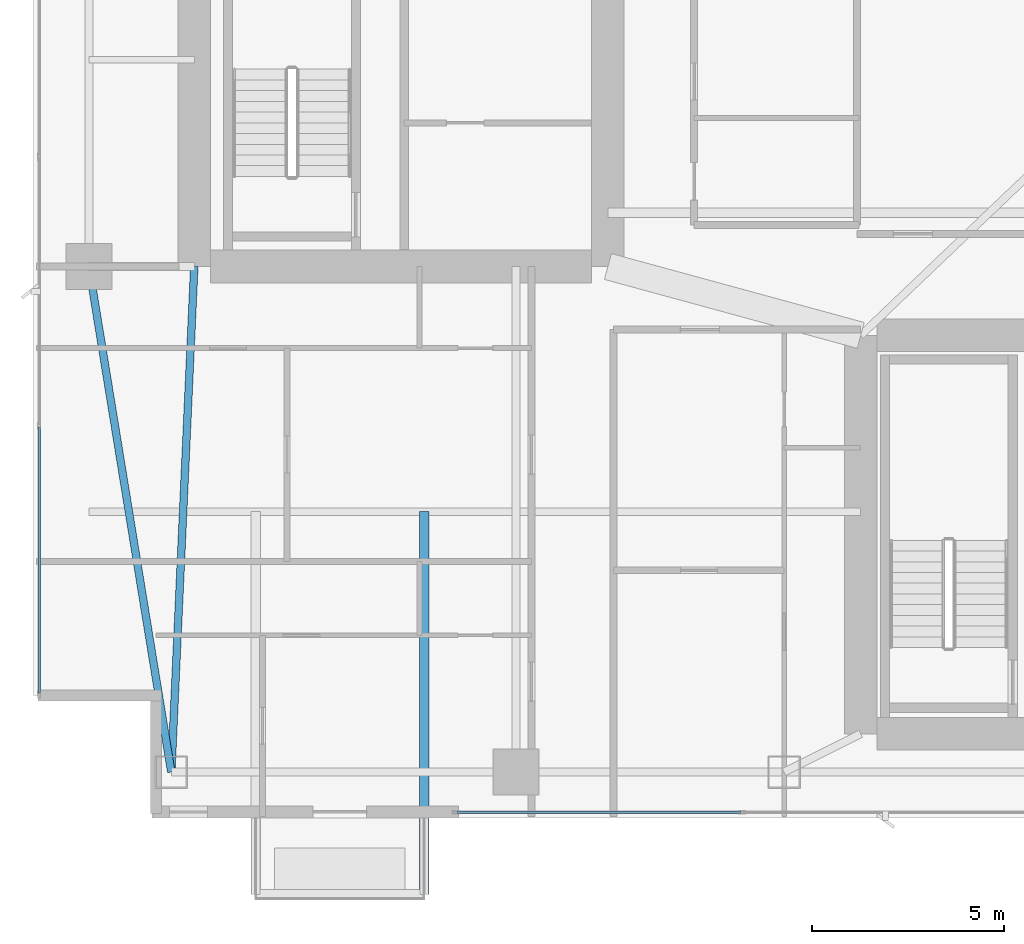
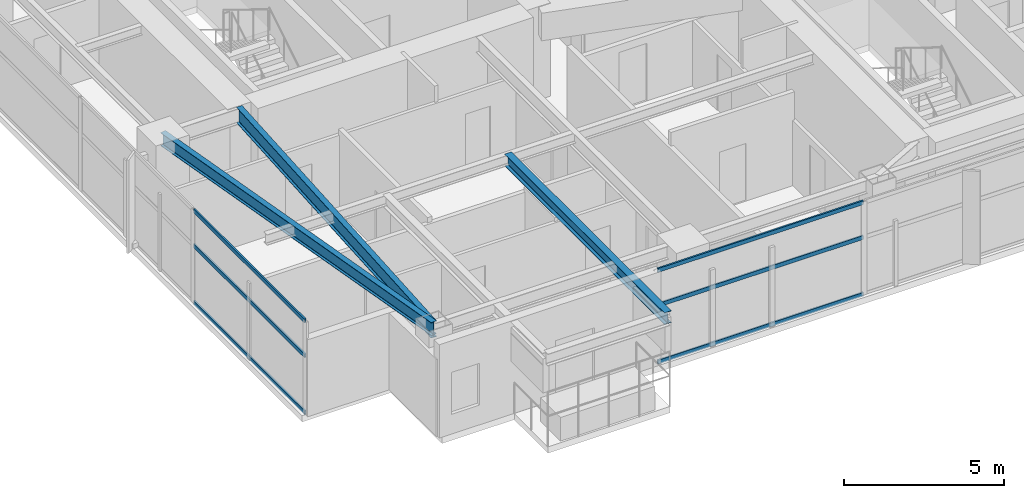
# One storey, part 3 of 28: 6 members, 3 beams, 2 elements without a shape of their own.
"""IFC4 building model written with IfcOpenShell, lengths in metres."""

from ifc_helpers import new_model, si_unit, direction, frame, origin, origin_2d, place, context, subcontext, project, spatial, hollow_rectangle, i_section, extrude, material, layer, layer_set, material_profile, profile_set, type_object, element, aggregate, save


model = new_model("IFC4")

# Units and contexts
model_context = context("Model", 3, precision=1e-05, world=origin(), true_north=direction((0.0, 1.0)))
body_context = subcontext(model_context, "Body", "Model", "MODEL_VIEW")
ifc_project = project(units=[si_unit("LENGTHUNIT", "METRE"), si_unit("AREAUNIT", "SQUARE_METRE"), si_unit("VOLUMEUNIT", "CUBIC_METRE"), si_unit("PLANEANGLEUNIT", "RADIAN"), si_unit("MASSUNIT", "GRAM", prefix="KILO")], contexts=[model_context])

# Site, building, storey
site_placement = place(None, origin())
site = spatial("IfcSite", under=ifc_project, at=site_placement, CompositionType="ELEMENT")
building_placement = place(site_placement, origin())
building = spatial("IfcBuilding", under=site, at=building_placement, Name="Calvorn Quay Hotel", CompositionType="ELEMENT")
storey_placement = place(building_placement, frame((0.0, 0.0, 152.300048828125)))
storey = spatial("IfcBuildingStorey", under=building, at=storey_placement, Name="L37", CompositionType="ELEMENT", Elevation=152.300048828125)

# Beams
ifc_material_1 = material(Name="Steel Q355B", Category="steel")
ifc_material_profile_1 = material_profile(ifc_material_1, i_section(OverallWidth=0.25, OverallDepth=0.449951171875, WebThickness=0.011962890625, FlangeThickness=0.01611328125, FilletRadius=0.01611328125, at=origin_2d()), Name="HN450x250x12x16")
ifc_profile_set_1 = profile_set([ifc_material_profile_1], Name="Steel Q355B")
beam_type_1 = type_object("IfcBeamType", Name="BM-CANT-BALC", PredefinedType="BEAM", material=ifc_profile_set_1)
beam_1_placement = place(storey_placement, frame((10.199951171875, 10.39990234375, 3.31494140625), z_axis=(0.0, -1.0, 0.0), x_axis=(1.0, 0.0, 0.0)))
element("IfcBeam", 1, at=beam_1_placement, inside=storey, type_object=beam_type_1, Name="Cantilever Balcony Beam BCB-L38-2B", PredefinedType="BEAM", context=body_context, shape_type="SweptSolid", body=[
    extrude(i_section(OverallWidth=0.25, OverallDepth=0.449951171875, WebThickness=0.011962890625, FlangeThickness=0.01611328125, FilletRadius=0.01611328125, at=origin_2d()), origin(), (0.0, 0.0, 1.0), 9.989990234375),
])
ifc_material_2 = material(Name="Steel Q355B", Category="steel")
ifc_material_profile_2 = material_profile(ifc_material_2, i_section(OverallWidth=0.199951171875, OverallDepth=0.60009765625, WebThickness=0.010986328125, FlangeThickness=0.01708984375, FilletRadius=0.01806640625, at=origin_2d()), Name="HN600x200x11x17")
ifc_profile_set_2 = profile_set([ifc_material_profile_2], Name="Steel Q355B")
beam_type_2 = type_object("IfcBeamType", Name="BM-GIRD-TYP", PredefinedType="BEAM", material=ifc_profile_set_2)
beam_2_placement = place(storey_placement, frame((3.60009765625, 3.60009765625, 3.239990234375), z_axis=(0.045396765494, 0.998969035397, 0.0), x_axis=(-0.998969035397, 0.045396765494, 0.0)))
element("IfcBeam", 2, at=beam_2_placement, inside=storey, type_object=beam_type_2, Name="Beam BG-L37-W0", PredefinedType="BEAM", context=body_context, shape_type="SweptSolid", body=[
    extrude(i_section(OverallWidth=0.199951171875, OverallDepth=0.60009765625, WebThickness=0.010986328125, FlangeThickness=0.01708984375, FilletRadius=0.01806640625, at=origin_2d()), origin(), (0.0, 0.0, 1.0), 13.213623046875),
])
ifc_material_3 = material(Name="Steel Q355B", Category="steel")
ifc_material_profile_3 = material_profile(ifc_material_3, i_section(OverallWidth=0.199951171875, OverallDepth=0.5, WebThickness=0.010009765625, FlangeThickness=0.01611328125, FilletRadius=0.01611328125, at=origin_2d()), Name="HN500x200x10x16")
ifc_profile_set_3 = profile_set([ifc_material_profile_3], Name="Steel Q355B")
beam_type_3 = type_object("IfcBeamType", Name="BM-SPANDREL-Z1", PredefinedType="SPANDREL", material=ifc_profile_set_3)
beam_3_placement = place(storey_placement, frame((3.60009765625, 3.60009765625, 3.2900390625), z_axis=(-0.16077155054, 0.986991645627, 0.0), x_axis=(-0.986991645627, -0.16077155054, 0.0)))
element("IfcBeam", 3, at=beam_3_placement, inside=storey, type_object=beam_type_3, Name="Beam BSP-L37-W1", PredefinedType="SPANDREL", context=body_context, shape_type="SweptSolid", body=[
    extrude(i_section(OverallWidth=0.199951171875, OverallDepth=0.5, WebThickness=0.010009765625, FlangeThickness=0.01611328125, FilletRadius=0.01611328125, at=origin_2d()), origin(), (0.0, 0.0, 1.0), 13.3740234375),
])

# Curtain wall, members
ifc_material_4 = material(Name="Pale Anodised Aluminium and Low-E Glass", Category="aluminium")
ifc_layer = layer(ifc_material_4, 0.219970703125)
ifc_layer_set = layer_set([ifc_layer], Name="CW-SYS-Z2")
curtain_wall_type = type_object("IfcCurtainWallType", Name="CW-SYS-Z2", PredefinedType="NOTDEFINED", material=ifc_layer_set)
curtain_wall_1_placement = place(storey_placement, origin())
curtain_wall_1 = element("IfcCurtainWall", 4, at=curtain_wall_1_placement, inside=storey, type_object=curtain_wall_type, Name="Tower West Curtain Wall (L37)", PredefinedType="NOTDEFINED")
ifc_material_5 = material(Name="Pale Anodised Aluminium 6063-T6", Category="aluminium")
ifc_material_profile_4 = material_profile(ifc_material_5, hollow_rectangle(XDim=0.06005859375, YDim=0.14990234375, WallThickness=0.00341796875, at=origin_2d()), Name="ALU-T150x60x3.5")
ifc_profile_set_4 = profile_set([ifc_material_profile_4], Name="Pale Anodised Aluminium 6063-T6")
member_type = type_object("IfcMemberType", Name="CW-SYS-Z2-TRN", PredefinedType="USERDEFINED", material=ifc_profile_set_4)
member_1_placement = place(storey_placement, frame((0.14990234375, 5.659912109375, 0.030029296875), z_axis=(0.0, 1.0, 0.0), x_axis=(-1.0, 0.0, 0.0)))
member_1 = element("IfcMember", 5, at=member_1_placement, type_object=member_type, Name="CW-L37-W transom 1.1", ObjectType="TRANSOM", PredefinedType="USERDEFINED", context=body_context, shape_type="SweptSolid", body=[
    extrude(hollow_rectangle(XDim=0.06005859375, YDim=0.14990234375, WallThickness=0.00341796875, at=origin_2d()), origin(), (0.0, 0.0, 1.0), 6.943359375),
])
member_2_placement = place(storey_placement, frame((0.14990234375, 5.659912109375, 2.199951171875), z_axis=(0.0, 1.0, 0.0), x_axis=(-1.0, 0.0, 0.0)))
member_2 = element("IfcMember", 6, at=member_2_placement, type_object=member_type, Name="CW-L37-W transom 1.2", ObjectType="TRANSOM", PredefinedType="USERDEFINED", context=body_context, shape_type="SweptSolid", body=[
    extrude(hollow_rectangle(XDim=0.06005859375, YDim=0.14990234375, WallThickness=0.00341796875, at=origin_2d()), origin(), (0.0, 0.0, 1.0), 6.943359375),
])
member_3_placement = place(storey_placement, frame((0.14990234375, 5.659912109375, 3.530029296875), z_axis=(0.0, 1.0, 0.0), x_axis=(-1.0, 0.0, 0.0)))
member_3 = element("IfcMember", 7, at=member_3_placement, type_object=member_type, Name="CW-L37-W transom 1.3", ObjectType="TRANSOM", PredefinedType="USERDEFINED", context=body_context, shape_type="SweptSolid", body=[
    extrude(hollow_rectangle(XDim=0.06005859375, YDim=0.14990234375, WallThickness=0.00341796875, at=origin_2d()), origin(), (0.0, 0.0, 1.0), 6.943359375),
])
aggregate(curtain_wall_1, [member_1, member_2, member_3])

curtain_wall_2_placement = place(storey_placement, origin())
curtain_wall_2 = element("IfcCurtainWall", 8, at=curtain_wall_2_placement, inside=storey, type_object=curtain_wall_type, Name="Tower South Waterfront Curtain Wall (L37)", PredefinedType="NOTDEFINED")
member_4_placement = place(storey_placement, frame((11.06005859375, 2.550048828125, 0.030029296875), z_axis=(1.0, 0.0, 0.0), x_axis=(0.0, 1.0, 0.0)))
member_4 = element("IfcMember", 9, at=member_4_placement, type_object=member_type, Name="CW-L37-S transom 1.1", ObjectType="TRANSOM", PredefinedType="USERDEFINED", context=body_context, shape_type="SweptSolid", body=[
    extrude(hollow_rectangle(XDim=0.06005859375, YDim=0.14990234375, WallThickness=0.00341796875, at=origin_2d()), origin(), (0.0, 0.0, 1.0), 7.409912109375),
])
member_5_placement = place(storey_placement, frame((11.06005859375, 2.550048828125, 2.199951171875), z_axis=(1.0, 0.0, 0.0), x_axis=(0.0, 1.0, 0.0)))
member_5 = element("IfcMember", 10, at=member_5_placement, type_object=member_type, Name="CW-L37-S transom 1.2", ObjectType="TRANSOM", PredefinedType="USERDEFINED", context=body_context, shape_type="SweptSolid", body=[
    extrude(hollow_rectangle(XDim=0.06005859375, YDim=0.14990234375, WallThickness=0.00341796875, at=origin_2d()), origin(), (0.0, 0.0, 1.0), 7.409912109375),
])
member_6_placement = place(storey_placement, frame((11.06005859375, 2.550048828125, 3.530029296875), z_axis=(1.0, 0.0, 0.0), x_axis=(0.0, 1.0, 0.0)))
member_6 = element("IfcMember", 11, at=member_6_placement, type_object=member_type, Name="CW-L37-S transom 1.3", ObjectType="TRANSOM", PredefinedType="USERDEFINED", context=body_context, shape_type="SweptSolid", body=[
    extrude(hollow_rectangle(XDim=0.06005859375, YDim=0.14990234375, WallThickness=0.00341796875, at=origin_2d()), origin(), (0.0, 0.0, 1.0), 7.409912109375),
])
aggregate(curtain_wall_2, [member_4, member_5, member_6])

save(model, "model.ifc")
